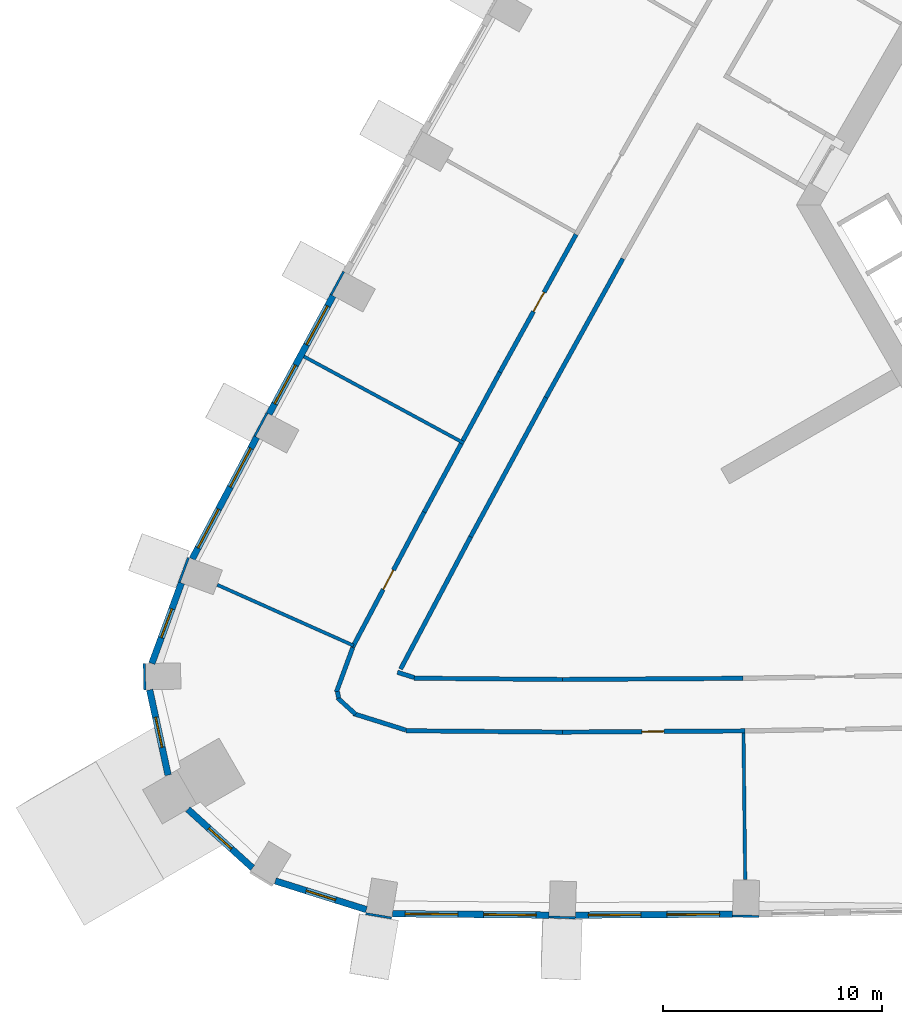
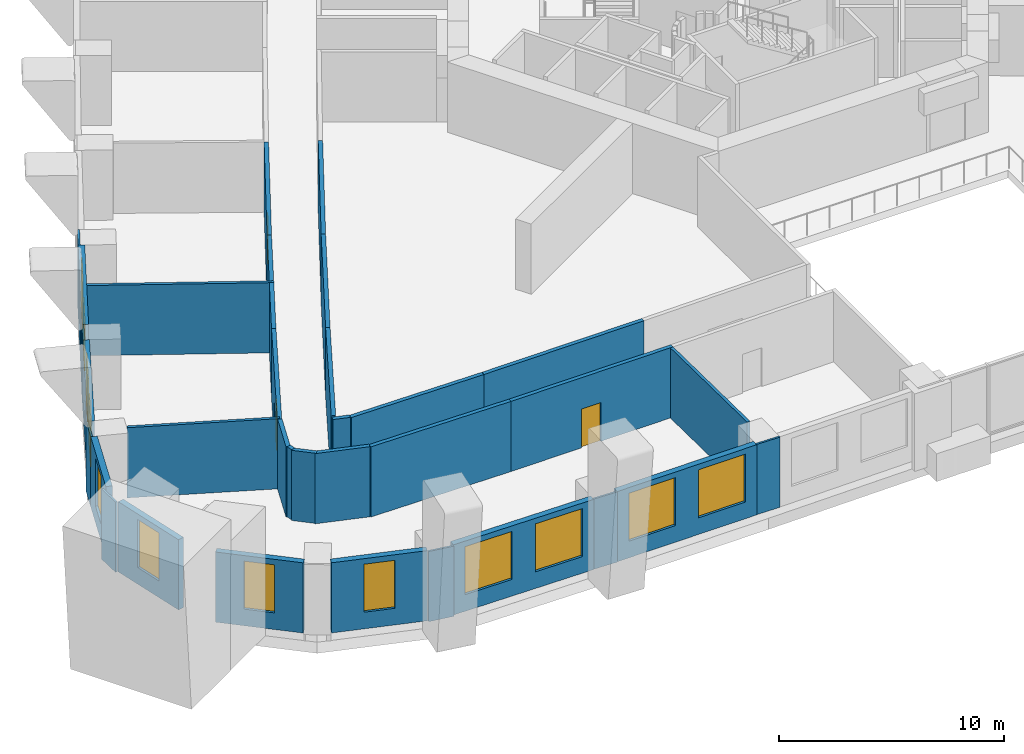
# One storey, part 4 of 17: 34 walls, 12 windows, 3 doors, 15 openings.
"""IFC4 building model written with IfcOpenShell, lengths in metres."""

import ifcopenshell
import ifcopenshell.guid

model = None  # the IFC model being written
_history = None  # IfcOwnerHistory: only IFC2X3 demands one
_inside = {}  # id of a spatial element -> (the spatial element, [elements in it])
_under = {}  # id of a project, library or spatial element -> (it, [spatial elements below it])
_declared = {}  # id of a project -> (the project, [libraries it declares])
_typed = {}  # id of a type object -> (the type object, [elements of that type])
_made_of = {}  # id of a material, layer set ... -> (it, [elements and type objects made of it])


def new_model(schema):
    """Start an empty IFC model of exactly this schema.

    Asked for "IFC4X3", IfcOpenShell would pick the latest addendum, in which some entities
    have other attributes; the version numbers below select the first issue.
    IFC2X3 requires an IfcOwnerHistory on every rooted entity: one is made here for all.
    """
    global model, _history
    if schema == "IFC4X3":
        model = ifcopenshell.file(schema_version=(4, 3, 0, 0))
    else:
        model = ifcopenshell.file(schema=schema)
    _inside.clear()
    _under.clear()
    _declared.clear()
    _typed.clear()
    _made_of.clear()
    _history = None
    if model.schema == "IFC2X3":
        org = make("IfcOrganization", Name="unknown")
        user = make(
            "IfcPersonAndOrganization",
            ThePerson=make("IfcPerson", FamilyName="unknown"),
            TheOrganization=org,
        )
        app = make(
            "IfcApplication",
            ApplicationDeveloper=org,
            Version="unknown",
            ApplicationFullName="unknown",
            ApplicationIdentifier="unknown",
        )
        _history = make(
            "IfcOwnerHistory",
            OwningUser=user,
            OwningApplication=app,
            ChangeAction="ADDED",
            CreationDate=0,
        )
    return model


def make(cls, **values):
    """One entity of the class cls with the attributes given. An attribute that is None is left unset."""
    return model.create_entity(
        cls, **{name: value for name, value in values.items() if value is not None}
    )


def rooted(cls, **values):
    """An entity with a GlobalId (a new one), such as an element, a storey or a relation."""
    return make(cls, GlobalId=ifcopenshell.guid.new(), OwnerHistory=_history, **values)


def si_unit(unit_type, name, prefix=None):
    """IfcSIUnit, for example si_unit("LENGTHUNIT", "METRE", prefix="MILLI")."""
    return make("IfcSIUnit", UnitType=unit_type, Prefix=prefix, Name=name)


def assignment(units):
    """IfcUnitAssignment: the units of a project."""
    return None if units is None else make("IfcUnitAssignment", Units=units)


def point(xyz):
    """IfcCartesianPoint."""
    return None if xyz is None else make("IfcCartesianPoint", Coordinates=xyz)


def direction(xyz):
    """IfcDirection."""
    return None if xyz is None else make("IfcDirection", DirectionRatios=xyz)


def frame(location, z_axis=None, x_axis=None):
    """IfcAxis2Placement3D, a coordinate frame: its origin and axes. An axis left out is left unset."""
    return make(
        "IfcAxis2Placement3D",
        Location=point(location),
        Axis=direction(z_axis),
        RefDirection=direction(x_axis),
    )


def frame_2d(location, x_axis=None):
    """IfcAxis2Placement2D, a coordinate frame in the plane: its origin and x axis."""
    return make(
        "IfcAxis2Placement2D", Location=point(location), RefDirection=direction(x_axis)
    )


def origin():
    """The frame at (0, 0, 0) with its axes left unset."""
    return frame((0.0, 0.0, 0.0))


def place(relative_to, where):
    """IfcLocalPlacement: puts the frame where relative to a parent placement (None: the world)."""
    return make(
        "IfcLocalPlacement", PlacementRelTo=relative_to, RelativePlacement=where
    )


def context(
    kind, dimensions, precision=None, world=None, true_north=None, identifier=None
):
    """IfcGeometricRepresentationContext, for example the 3D "Model" context."""
    return make(
        "IfcGeometricRepresentationContext",
        ContextIdentifier=identifier,
        ContextType=kind,
        CoordinateSpaceDimension=dimensions,
        Precision=precision,
        WorldCoordinateSystem=world,
        TrueNorth=true_north,
    )


def subcontext(parent, identifier, kind, view, scale=None):
    """IfcGeometricRepresentationSubContext, for example "Body" below "Model"."""
    return make(
        "IfcGeometricRepresentationSubContext",
        ContextIdentifier=identifier,
        ContextType=kind,
        ParentContext=parent,
        TargetScale=scale,
        TargetView=view,
    )


def project(units=None, contexts=None):
    """IfcProject with its units and contexts."""
    return rooted(
        "IfcProject",
        Name="project",
        RepresentationContexts=contexts,
        UnitsInContext=assignment(units),
    )


def spatial(cls, under=None, at=None, **own):
    """A site, building, storey or space (cls), placed at a placement, below another one or the project."""
    s = rooted(cls, ObjectPlacement=at, **own)
    if under is not None:
        _under.setdefault(under.id(), (under, []))[1].append(s)
    return s


def profile(cls, at=None, kind="AREA", **sizes):
    """A parametric profile (cls). Its sizes go by their IFC names, for example OverallWidth=200.0."""
    return make(cls, ProfileType=kind, Position=at, **sizes)


def rectangle(**sizes):
    """IfcRectangleProfileDef."""
    return profile("IfcRectangleProfileDef", **sizes)


def extrude(swept, where, along, depth):
    """IfcExtrudedAreaSolid: the profile swept, set in the frame where, extruded along a direction by depth."""
    return make(
        "IfcExtrudedAreaSolid",
        SweptArea=swept,
        Position=where,
        ExtrudedDirection=direction(along),
        Depth=depth,
    )


def shape(context_of_items, identifier, shape_type, items):
    """IfcShapeRepresentation: the items that make up one representation, for example the "Body"."""
    return make(
        "IfcShapeRepresentation",
        ContextOfItems=context_of_items,
        RepresentationIdentifier=identifier,
        RepresentationType=shape_type,
        Items=items,
    )


def material(Name=None, Category=None):
    """IfcMaterial."""
    return make("IfcMaterial", Name=Name, Category=Category)


def layer(
    of_material, thickness, ventilated=None, Name=None, Category=None, Priority=None
):
    """IfcMaterialLayer: one layer of a wall or slab, of a material (None: an air gap)."""
    return make(
        "IfcMaterialLayer",
        Material=of_material,
        LayerThickness=thickness,
        IsVentilated=ventilated,
        Name=Name,
        Category=Category,
        Priority=Priority,
    )


def layer_set(layers, Name=None):
    """IfcMaterialLayerSet."""
    return make("IfcMaterialLayerSet", MaterialLayers=layers, LayerSetName=Name)


def made_of(thing, what):
    """Note that an element or type object is made of a material, layer set ...; save() writes the relation."""
    if what is not None:
        _made_of.setdefault(what.id(), (what, []))[1].append(thing)
    return thing


def type_object(cls, material=None, **own):
    """A type object (cls), such as IfcWallType, which elements share."""
    return made_of(rooted(cls, **own), material)


def element(
    cls,
    number,
    at=None,
    inside=None,
    cuts=None,
    type_object=None,
    material=None,
    context=None,
    identifier="Body",
    shape_type=None,
    held_by="IfcProductDefinitionShape",
    body=None,
    shapes=None,
    **own,
):
    """One element of the class cls, such as IfcWall. Its Tag is "e" and its number.

    at: its placement. inside: the storey or other place that contains it. cuts: it is an
    opening in that element (IfcRelVoidsElement). A single representation is given by context,
    identifier, shape_type and body (its items); several are given by shapes. held_by: the class
    of the entity that holds the representations. save() writes the other relations.
    """
    e = rooted(cls, Tag="e%d" % number, ObjectPlacement=at, **own)
    if body is not None:
        shapes = [shape(context, identifier, shape_type, body)]
    if shapes is not None:
        e.Representation = make(held_by, Representations=shapes)
    if inside is not None:
        _inside.setdefault(inside.id(), (inside, []))[1].append(e)
    if cuts is not None:
        rooted(
            "IfcRelVoidsElement", RelatingBuildingElement=cuts, RelatedOpeningElement=e
        )
    if type_object is not None:
        _typed.setdefault(type_object.id(), (type_object, []))[1].append(e)
    return made_of(e, material)


def fill(opening, filler):
    """IfcRelFillsElement: the door or window that sits in an opening."""
    return rooted(
        "IfcRelFillsElement",
        RelatingOpeningElement=opening,
        RelatedBuildingElement=filler,
    )


def aggregate(whole, parts):
    """IfcRelAggregates: a whole, such as a stair, and the parts it consists of."""
    return rooted("IfcRelAggregates", RelatingObject=whole, RelatedObjects=parts)


def save(model, path):
    """Write the relations noted so far, then the file.

    IfcRelAggregates (storeys below a building ...), IfcRelContainedInSpatialStructure (elements
    in a storey), IfcRelDefinesByType, IfcRelAssociatesMaterial and IfcRelDeclares: one each for
    every whole, place, type object, material and project.
    """
    for whole, parts in _under.values():
        aggregate(whole, parts)
    for where, things in _inside.values():
        rooted(
            "IfcRelContainedInSpatialStructure",
            RelatedElements=things,
            RelatingStructure=where,
        )
    for kind, things in _typed.values():
        rooted("IfcRelDefinesByType", RelatedObjects=things, RelatingType=kind)
    for what, things in _made_of.values():
        rooted("IfcRelAssociatesMaterial", RelatedObjects=things, RelatingMaterial=what)
    for by, libraries in _declared.values():
        rooted("IfcRelDeclares", RelatingContext=by, RelatedDefinitions=libraries)
    model.write(path)


model = new_model("IFC4")

# Units and contexts
model_context = context("Model", 3, precision=1e-05, world=origin(), true_north=direction((0.0, 1.0)))
body_context = subcontext(model_context, "Body", "Model", "MODEL_VIEW")
ifc_project = project(units=[si_unit("LENGTHUNIT", "METRE"), si_unit("AREAUNIT", "SQUARE_METRE"), si_unit("VOLUMEUNIT", "CUBIC_METRE"), si_unit("PLANEANGLEUNIT", "RADIAN"), si_unit("MASSUNIT", "GRAM", prefix="KILO")], contexts=[model_context])

# Site, building, storey
site_placement = place(None, origin())
site = spatial("IfcSite", under=ifc_project, at=site_placement, CompositionType="ELEMENT")
building_placement = place(site_placement, origin())
building = spatial("IfcBuilding", under=site, at=building_placement, Name="Entoto Arch Interchange Tower", CompositionType="ELEMENT")
storey_placement = place(building_placement, frame((0.0, 0.0, 72.800048828125)))
storey = spatial("IfcBuildingStorey", under=building, at=storey_placement, Name="L15", CompositionType="ELEMENT", Elevation=72.800048828125)

# Walls
ifc_material_1 = material(Name="Gypsum board partition on steel studs", Category="steel")
ifc_layer_1 = layer(ifc_material_1, 0.14990234375)
ifc_layer_set_1 = layer_set([ifc_layer_1], Name="Gypsum board partition on steel studs")
wall_type_1 = type_object("IfcWallType", Name="PARTITION 150", PredefinedType="PARTITIONING", material=ifc_layer_set_1)
wall_1_placement = place(storey_placement, frame((-29.013916015625, -8.364990234375, 0.0), z_axis=(0.0, 0.0, 1.0), x_axis=(-0.879354069803, 0.476168478504, 0.0)))
element("IfcWall", 1, at=wall_1_placement, inside=storey, type_object=wall_type_1, Name="wall:L15:p147", PredefinedType="PARTITIONING", context=body_context, shape_type="SweptSolid", body=[
    extrude(rectangle(XDim=8.29931640625, YDim=0.14990234375, at=frame_2d((4.149658203125, 0.0))), origin(), (0.0, 0.0, 1.0), 3.800048828125),
])
wall_2_placement = place(storey_placement, frame((-34.052978515625, -17.594970703125, 0.0), z_axis=(0.0, 0.0, 1.0), x_axis=(-0.913298274621, 0.40729137184, 0.0)))
element("IfcWall", 2, at=wall_2_placement, inside=storey, type_object=wall_type_1, Name="wall:L15:p148", PredefinedType="PARTITIONING", context=body_context, shape_type="SweptSolid", body=[
    extrude(rectangle(XDim=6.79638671875, YDim=0.14990234375, at=frame_2d((3.398193359375, 0.0))), origin(), (0.0, 0.0, 1.0), 3.800048828125),
])
wall_3_placement = place(storey_placement, frame((-16.26806640625, -21.5869140625, 0.0), z_axis=(0.0, 0.0, 1.0), x_axis=(0.0116959614, -0.999931599904, 0.0)))
element("IfcWall", 3, at=wall_3_placement, inside=storey, type_object=wall_type_1, Name="wall:L15:p149", PredefinedType="PARTITIONING", context=body_context, shape_type="SweptSolid", body=[
    extrude(rectangle(XDim=6.6796875, YDim=0.14990234375, at=frame_2d((3.33984375, 0.0))), origin(), (0.0, 0.0, 1.0), 3.800048828125),
])
ifc_layer_2 = layer(ifc_material_1, 0.199951171875)
ifc_layer_set_2 = layer_set([ifc_layer_2], Name="Gypsum board partition on steel studs")
wall_type_2 = type_object("IfcWallType", Name="PARTITION 200", PredefinedType="PARTITIONING", material=ifc_layer_set_2)
wall_4_placement = place(storey_placement, frame((-21.77001953125, 0.0458984375, 0.0), z_axis=(0.0, 0.0, 1.0), x_axis=(-0.484062485326, -0.875033433818, 0.0)))
element("IfcWall", 4, at=wall_4_placement, inside=storey, type_object=wall_type_2, Name="wall:L15:p031", PredefinedType="PARTITIONING", context=body_context, shape_type="SweptSolid", body=[
    extrude(rectangle(XDim=7.23046875, YDim=0.199951171875, at=frame_2d((3.615234375, 0.0))), origin(), (0.0, 0.0, 1.0), 3.800048828125),
])
wall_5_placement = place(storey_placement, frame((-25.27001953125, -6.281005859375, 0.0), z_axis=(0.0, 0.0, 1.0), x_axis=(-0.476128647722, -0.879375636926, 0.0)))
element("IfcWall", 5, at=wall_5_placement, inside=storey, type_object=wall_type_2, Name="wall:L15:p032", PredefinedType="PARTITIONING", context=body_context, shape_type="SweptSolid", body=[
    extrude(rectangle(XDim=7.22900390625, YDim=0.199951171875, at=frame_2d((3.614501953125, 0.0))), origin(), (0.0, 0.0, 1.0), 3.800048828125),
])
wall_6_placement = place(storey_placement, frame((-28.7119140625, -12.637939453125, 0.0), z_axis=(0.0, 0.0, 1.0), x_axis=(-0.46804565502, -0.883704285843, 0.0)))
element("IfcWall", 6, at=wall_6_placement, inside=storey, type_object=wall_type_2, Name="wall:L15:p033", PredefinedType="PARTITIONING", context=body_context, shape_type="SweptSolid", body=[
    extrude(rectangle(XDim=6.818115234375, YDim=0.199951171875, at=frame_2d((3.4091796875, 0.0))), origin(), (0.0, 0.0, 1.0), 3.800048828125),
])
wall_7_placement = place(storey_placement, frame((-32.050048828125, -18.81298828125, 0.0), z_axis=(0.0, 0.0, 1.0), x_axis=(0.953816959026, -0.300388429661, 0.0)))
element("IfcWall", 7, at=wall_7_placement, inside=storey, type_object=wall_type_2, Name="wall:L15:p034", PredefinedType="PARTITIONING", context=body_context, shape_type="SweptSolid", body=[
    extrude(rectangle(XDim=0.80224609375, YDim=0.199951171875, at=frame_2d((0.401123046875, 0.0))), origin(), (0.0, 0.0, 1.0), 3.800048828125),
])
wall_8_placement = place(storey_placement, frame((-31.2890625, -19.0830078125, 0.0), z_axis=(0.0, 0.0, 1.0), x_axis=(0.999961820006, -0.00873833678, 0.0)))
element("IfcWall", 8, at=wall_8_placement, inside=storey, type_object=wall_type_2, Name="wall:L15:p035", PredefinedType="PARTITIONING", context=body_context, shape_type="SweptSolid", body=[
    extrude(rectangle(XDim=6.76123046875, YDim=0.199951171875, at=frame_2d((3.380615234375, 0.0))), origin(), (0.0, 0.0, 1.0), 3.800048828125),
])
wall_9_placement = place(storey_placement, frame((-24.528076171875, -19.14208984375, 0.0), z_axis=(0.0, 0.0, 1.0), x_axis=(0.999978315754, 0.00658544011, 0.0)))
element("IfcWall", 9, at=wall_9_placement, inside=storey, type_object=wall_type_2, Name="wall:L15:p036", PredefinedType="PARTITIONING", context=body_context, shape_type="SweptSolid", body=[
    extrude(rectangle(XDim=8.230224609375, YDim=0.199951171875, at=frame_2d((4.115234375, 0.0))), origin(), (0.0, 0.0, 1.0), 3.800048828125),
])
wall_10_placement = place(storey_placement, frame((-29.06591796875, -8.2509765625, 0.0), z_axis=(0.0, 0.0, 1.0), x_axis=(0.476123690619, 0.879378320878, 0.0)))
element("IfcWall", 10, at=wall_10_placement, inside=storey, type_object=wall_type_2, Name="wall:L15:p068", PredefinedType="PARTITIONING", context=body_context, shape_type="SweptSolid", body=[
    extrude(rectangle(XDim=3.551513671875, YDim=0.199951171875, at=frame_2d((1.77587890625, 0.0))), origin(), (0.0, 0.0, 1.0), 3.800048828125),
])

# Wall, opening, door
wall_11_placement = place(storey_placement, frame((-27.375, -5.1279296875, 0.0), z_axis=(0.0, 0.0, 1.0), x_axis=(0.484068035355, 0.875030363558, 0.0)))
wall_11 = element("IfcWall", 11, at=wall_11_placement, inside=storey, type_object=wall_type_2, Name="wall:L15:p069", PredefinedType="PARTITIONING", context=body_context, shape_type="SweptSolid", body=[
    extrude(rectangle(XDim=7.177001953125, YDim=0.199951171875, at=frame_2d((3.58837890625, 0.0))), origin(), (0.0, 0.0, 1.0), 3.800048828125),
])
opening_1_placement = place(wall_11_placement, frame((3.1630859375, 0.0, 0.0)))
opening_1 = element("IfcOpeningElement", 12, at=opening_1_placement, cuts=wall_11, Name="Opening L15-D16", PredefinedType="OPENING", context=body_context, shape_type="SweptSolid", body=[
    extrude(rectangle(XDim=1.0, YDim=2.10009765625, at=frame_2d((0.5, 1.050048828125))), frame((0.0, 0.10986328125, 0.0), z_axis=(0.0, -1.0, 0.0), x_axis=(1.0, 0.0, 0.0)), (0.0, 0.0, 1.0), 0.219970703125),
])
ifc_material_2 = material(Name="Timber door leaf in Steel S235 frame", Category="steel")
door_type = type_object("IfcDoorType", Name="DOOR DS-10 1000x2100", OperationType="SINGLE_SWING_LEFT", PredefinedType="DOOR", material=ifc_material_2)
door_1_placement = place(opening_1_placement, origin())
door_1 = element("IfcDoor", 13, at=door_1_placement, inside=storey, type_object=door_type, Name="door:L15:16", OperationType="SINGLE_SWING_LEFT", OverallHeight=2.10009765625, OverallWidth=1.0, PredefinedType="DOOR", context=body_context, shape_type="SweptSolid", body=[
    extrude(rectangle(XDim=1.0, YDim=2.10009765625, at=frame_2d((0.5, 1.050048828125))), frame((0.0, 0.02490234375, 0.0), z_axis=(0.0, -1.0, 0.0), x_axis=(1.0, 0.0, 0.0)), (0.0, 0.0, 1.0), 0.050048828125),
])
fill(opening_1, door_1)

wall_12_placement = place(storey_placement, frame((-34.10009765625, -17.68310546875, 0.0), z_axis=(0.0, 0.0, 1.0), x_axis=(0.468043346631, 0.883705508456, 0.0)))
wall_12 = element("IfcWall", 14, at=wall_12_placement, inside=storey, type_object=wall_type_2, Name="wall:L15:p070", PredefinedType="PARTITIONING", context=body_context, shape_type="SweptSolid", body=[
    extrude(rectangle(XDim=6.9912109375, YDim=0.199951171875, at=frame_2d((3.49560546875, 0.0))), origin(), (0.0, 0.0, 1.0), 3.800048828125),
])
opening_2_placement = place(wall_12_placement, frame((2.99609375, 0.0, 0.0)))
opening_2 = element("IfcOpeningElement", 15, at=opening_2_placement, cuts=wall_12, Name="Opening L15-D17", PredefinedType="OPENING", context=body_context, shape_type="SweptSolid", body=[
    extrude(rectangle(XDim=1.0, YDim=2.10009765625, at=frame_2d((0.5, 1.050048828125))), frame((0.0, 0.10986328125, 0.0), z_axis=(0.0, -1.0, 0.0), x_axis=(1.0, 0.0, 0.0)), (0.0, 0.0, 1.0), 0.219970703125),
])
door_2_placement = place(opening_2_placement, origin())
door_2 = element("IfcDoor", 16, at=door_2_placement, inside=storey, type_object=door_type, Name="door:L15:17", OperationType="SINGLE_SWING_LEFT", OverallHeight=2.10009765625, OverallWidth=1.0, PredefinedType="DOOR", context=body_context, shape_type="SweptSolid", body=[
    extrude(rectangle(XDim=1.0, YDim=2.10009765625, at=frame_2d((0.5, 1.050048828125))), frame((0.0, 0.02490234375, 0.0), z_axis=(0.0, -1.0, 0.0), x_axis=(1.0, 0.0, 0.0)), (0.0, 0.0, 1.0), 0.050048828125),
])
fill(opening_2, door_2)

# Wall
wall_13_placement = place(storey_placement, frame((-30.827880859375, -11.5048828125, 0.0), z_axis=(0.0, 0.0, 1.0), x_axis=(0.476267641688, 0.879300365905, 0.0)))
element("IfcWall", 17, at=wall_13_placement, inside=storey, type_object=wall_type_2, Name="wall:L15:p071", PredefinedType="PARTITIONING", context=body_context, shape_type="SweptSolid", body=[
    extrude(rectangle(XDim=3.55029296875, YDim=0.199951171875, at=frame_2d((1.775146484375, 0.0))), origin(), (0.0, 0.0, 1.0), 3.800048828125),
])

# Wall, opening, door
wall_14_placement = place(storey_placement, frame((-16.195068359375, -21.487060546875, 0.0), z_axis=(0.0, 0.0, 1.0), x_axis=(-0.999978288386, -0.006589594508, 0.0)))
wall_14 = element("IfcWall", 18, at=wall_14_placement, inside=storey, type_object=wall_type_2, Name="wall:L15:p072", PredefinedType="PARTITIONING", context=body_context, shape_type="SweptSolid", body=[
    extrude(rectangle(XDim=8.336181640625, YDim=0.199951171875, at=frame_2d((4.16796875, 0.0))), origin(), (0.0, 0.0, 1.0), 3.800048828125),
])
opening_3_placement = place(wall_14_placement, frame((3.7060546875, 0.0, 0.0)))
opening_3 = element("IfcOpeningElement", 19, at=opening_3_placement, cuts=wall_14, Name="Opening L15-D18", PredefinedType="OPENING", context=body_context, shape_type="SweptSolid", body=[
    extrude(rectangle(XDim=1.0, YDim=2.10009765625, at=frame_2d((0.5, 1.050048828125))), frame((0.0, 0.10986328125, 0.0), z_axis=(0.0, -1.0, 0.0), x_axis=(1.0, 0.0, 0.0)), (0.0, 0.0, 1.0), 0.219970703125),
])
door_3_placement = place(opening_3_placement, origin())
door_3 = element("IfcDoor", 20, at=door_3_placement, inside=storey, type_object=door_type, Name="door:L15:18", OperationType="SINGLE_SWING_RIGHT", OverallHeight=2.10009765625, OverallWidth=1.0, PredefinedType="DOOR", context=body_context, shape_type="SweptSolid", body=[
    extrude(rectangle(XDim=1.0, YDim=2.10009765625, at=frame_2d((0.5, 1.050048828125))), frame((0.0, 0.02490234375, 0.0), z_axis=(0.0, -1.0, 0.0), x_axis=(1.0, 0.0, 0.0)), (0.0, 0.0, 1.0), 0.050048828125),
])
fill(opening_3, door_3)

# Walls
wall_15_placement = place(storey_placement, frame((-24.531005859375, -21.5419921875, 0.0), z_axis=(0.0, 0.0, 1.0), x_axis=(-0.999962254422, 0.008688482627, 0.0)))
element("IfcWall", 21, at=wall_15_placement, inside=storey, type_object=wall_type_2, Name="wall:L15:p073", PredefinedType="PARTITIONING", context=body_context, shape_type="SweptSolid", body=[
    extrude(rectangle(XDim=7.13720703125, YDim=0.199951171875, at=frame_2d((3.568603515625, 0.0))), origin(), (0.0, 0.0, 1.0), 3.800048828125),
])
wall_16_placement = place(storey_placement, frame((-31.6640625, -21.449951171875, 0.0), z_axis=(0.0, 0.0, 1.0), x_axis=(-0.953945024313, 0.299981483743, 0.0)))
element("IfcWall", 22, at=wall_16_placement, inside=storey, type_object=wall_type_2, Name="wall:L15:p074", PredefinedType="PARTITIONING", context=body_context, shape_type="SweptSolid", body=[
    extrude(rectangle(XDim=2.500244140625, YDim=0.199951171875, at=frame_2d((1.25, 0.0))), origin(), (0.0, 0.0, 1.0), 3.800048828125),
])
wall_17_placement = place(storey_placement, frame((-33.9541015625, -20.72900390625, 0.0), z_axis=(0.0, 0.0, 1.0), x_axis=(-0.740510227228, 0.672045090281, 0.0)))
element("IfcWall", 23, at=wall_17_placement, inside=storey, type_object=wall_type_2, Name="wall:L15:p075", PredefinedType="PARTITIONING", context=body_context, shape_type="SweptSolid", body=[
    extrude(rectangle(XDim=1.123291015625, YDim=0.199951171875, at=frame_2d((0.5615234375, 0.0))), origin(), (0.0, 0.0, 1.0), 3.800048828125),
])
wall_18_placement = place(storey_placement, frame((-34.72412109375, -19.987060546875, 0.0), z_axis=(0.0, 0.0, 1.0), x_axis=(-0.210230703369, 0.977651804765, 0.0)))
element("IfcWall", 24, at=wall_18_placement, inside=storey, type_object=wall_type_2, Name="wall:L15:p076", PredefinedType="PARTITIONING", context=body_context, shape_type="SweptSolid", body=[
    extrude(rectangle(XDim=0.308837890625, YDim=0.199951171875, at=frame_2d((0.154296875, 0.0))), origin(), (0.0, 0.0, 1.0), 3.800048828125),
])
wall_19_placement = place(storey_placement, frame((-34.8349609375, -19.72412109375, 0.0), z_axis=(0.0, 0.0, 1.0), x_axis=(0.34459875492, 0.938750072228, 0.0)))
element("IfcWall", 25, at=wall_19_placement, inside=storey, type_object=wall_type_2, Name="wall:L15:p077", PredefinedType="PARTITIONING", context=body_context, shape_type="SweptSolid", body=[
    extrude(rectangle(XDim=2.16796875, YDim=0.199951171875, at=frame_2d((1.083984375, 0.0))), origin(), (0.0, 0.0, 1.0), 3.800048828125),
])

# Wall, openings, windows
ifc_material_3 = material(Name="Welded tuff (ignimbrite) cladding, warm buff", Category="masonry")
ifc_layer_3 = layer(ifc_material_3, 0.300048828125)
ifc_layer_set_3 = layer_set([ifc_layer_3], Name="Welded tuff (ignimbrite) cladding, warm buff")
wall_type_3 = type_object("IfcWallType", Name="STONE INFILL WALL 300", PredefinedType="STANDARD", material=ifc_layer_set_3)
wall_20_placement = place(storey_placement, frame((-32.279052734375, -29.824951171875, 0.0), z_axis=(0.0, 0.0, 1.0), x_axis=(0.999962339493, -0.008678686333, 0.0)))
wall_20 = element("IfcWall", 26, at=wall_20_placement, inside=storey, type_object=wall_type_3, Name="Facade wall S-01 L15", PredefinedType="STANDARD", context=body_context, shape_type="SweptSolid", body=[
    extrude(rectangle(XDim=7.145263671875, YDim=0.300048828125, at=frame_2d((3.57275390625, 0.0))), origin(), (0.0, 0.0, 1.0), 3.800048828125),
])
opening_4_placement = place(wall_20_placement, frame((0.5859375, 0.0, 0.89990234375)))
opening_4 = element("IfcOpeningElement", 27, at=opening_4_placement, cuts=wall_20, Name="Opening WO-A", PredefinedType="OPENING", context=body_context, shape_type="SweptSolid", body=[
    extrude(rectangle(XDim=2.39990234375, YDim=2.60009765625, at=frame_2d((1.199951171875, 1.300048828125))), frame((0.0, 0.16015625, 0.0), z_axis=(0.0, -1.0, 0.0), x_axis=(1.0, 0.0, 0.0)), (0.0, 0.0, 1.0), 0.320068359375),
])
opening_5_placement = place(wall_20_placement, frame((4.158935546875, 0.0, 0.89990234375)))
opening_5 = element("IfcOpeningElement", 28, at=opening_5_placement, cuts=wall_20, Name="Opening WO-A", PredefinedType="OPENING", context=body_context, shape_type="SweptSolid", body=[
    extrude(rectangle(XDim=2.39990234375, YDim=2.60009765625, at=frame_2d((1.199951171875, 1.300048828125))), frame((0.0, 0.16015625, 0.0), z_axis=(0.0, -1.0, 0.0), x_axis=(1.0, 0.0, 0.0)), (0.0, 0.0, 1.0), 0.320068359375),
])
ifc_material_4 = material(Name="Clear glass, low-e double glazed", Category="glass")
window_type_1 = type_object("IfcWindowType", Name="WINDOW WO-A 2400x2600", PartitioningType="DOUBLE_PANEL_VERTICAL", PredefinedType="WINDOW", material=ifc_material_4)
window_1_placement = place(opening_4_placement, origin())
window_1 = element("IfcWindow", 29, at=window_1_placement, inside=storey, type_object=window_type_1, Name="Window WO-A S-01 L15", OverallHeight=2.60009765625, OverallWidth=2.39990234375, PartitioningType="SINGLE_PANEL", PredefinedType="WINDOW", context=body_context, shape_type="SweptSolid", body=[
    extrude(rectangle(XDim=2.39990234375, YDim=2.60009765625, at=frame_2d((1.199951171875, 1.300048828125))), frame((0.0, 0.030029296875, 0.0), z_axis=(0.0, -1.0, 0.0), x_axis=(1.0, 0.0, 0.0)), (0.0, 0.0, 1.0), 0.06005859375),
])
fill(opening_4, window_1)
window_2_placement = place(opening_5_placement, origin())
window_2 = element("IfcWindow", 30, at=window_2_placement, inside=storey, type_object=window_type_1, Name="Window WO-A S-01 L15", OverallHeight=2.60009765625, OverallWidth=2.39990234375, PartitioningType="SINGLE_PANEL", PredefinedType="WINDOW", context=body_context, shape_type="SweptSolid", body=[
    extrude(rectangle(XDim=2.39990234375, YDim=2.60009765625, at=frame_2d((1.199951171875, 1.300048828125))), frame((0.0, 0.030029296875, 0.0), z_axis=(0.0, -1.0, 0.0), x_axis=(1.0, 0.0, 0.0)), (0.0, 0.0, 1.0), 0.06005859375),
])
fill(opening_5, window_2)

wall_21_placement = place(storey_placement, frame((-23.93505859375, -29.887939453125, 0.0), z_axis=(0.0, 0.0, 1.0), x_axis=(0.999978623918, 0.006538478947, 0.0)))
wall_21 = element("IfcWall", 31, at=wall_21_placement, inside=storey, type_object=wall_type_3, Name="Facade wall S-02 L15", PredefinedType="STANDARD", context=body_context, shape_type="SweptSolid", body=[
    extrude(rectangle(XDim=7.169189453125, YDim=0.300048828125, at=frame_2d((3.58447265625, 0.0))), origin(), (0.0, 0.0, 1.0), 3.800048828125),
])
opening_6_placement = place(wall_21_placement, frame((0.592041015625, 0.0, 0.89990234375)))
opening_6 = element("IfcOpeningElement", 32, at=opening_6_placement, cuts=wall_21, Name="Opening WO-A", PredefinedType="OPENING", context=body_context, shape_type="SweptSolid", body=[
    extrude(rectangle(XDim=2.39990234375, YDim=2.60009765625, at=frame_2d((1.199951171875, 1.300048828125))), frame((0.0, 0.16015625, 0.0), z_axis=(0.0, -1.0, 0.0), x_axis=(1.0, 0.0, 0.0)), (0.0, 0.0, 1.0), 0.320068359375),
])
opening_7_placement = place(wall_21_placement, frame((4.177001953125, 0.0, 0.89990234375)))
opening_7 = element("IfcOpeningElement", 33, at=opening_7_placement, cuts=wall_21, Name="Opening WO-A", PredefinedType="OPENING", context=body_context, shape_type="SweptSolid", body=[
    extrude(rectangle(XDim=2.39990234375, YDim=2.60009765625, at=frame_2d((1.199951171875, 1.300048828125))), frame((0.0, 0.16015625, 0.0), z_axis=(0.0, -1.0, 0.0), x_axis=(1.0, 0.0, 0.0)), (0.0, 0.0, 1.0), 0.320068359375),
])
window_3_placement = place(opening_6_placement, origin())
window_3 = element("IfcWindow", 34, at=window_3_placement, inside=storey, type_object=window_type_1, Name="Window WO-A S-02 L15", OverallHeight=2.60009765625, OverallWidth=2.39990234375, PartitioningType="SINGLE_PANEL", PredefinedType="WINDOW", context=body_context, shape_type="SweptSolid", body=[
    extrude(rectangle(XDim=2.39990234375, YDim=2.60009765625, at=frame_2d((1.199951171875, 1.300048828125))), frame((0.0, 0.030029296875, 0.0), z_axis=(0.0, -1.0, 0.0), x_axis=(1.0, 0.0, 0.0)), (0.0, 0.0, 1.0), 0.06005859375),
])
fill(opening_6, window_3)
window_4_placement = place(opening_7_placement, origin())
window_4 = element("IfcWindow", 35, at=window_4_placement, inside=storey, type_object=window_type_1, Name="Window WO-A S-02 L15", OverallHeight=2.60009765625, OverallWidth=2.39990234375, PartitioningType="SINGLE_PANEL", PredefinedType="WINDOW", context=body_context, shape_type="SweptSolid", body=[
    extrude(rectangle(XDim=2.39990234375, YDim=2.60009765625, at=frame_2d((1.199951171875, 1.300048828125))), frame((0.0, 0.030029296875, 0.0), z_axis=(0.0, -1.0, 0.0), x_axis=(1.0, 0.0, 0.0)), (0.0, 0.0, 1.0), 0.06005859375),
])
fill(opening_7, window_4)

wall_22_placement = place(storey_placement, frame((-34.98388671875, -1.64501953125, 0.0), z_axis=(0.0, 0.0, 1.0), x_axis=(-0.476174096946, -0.879351027404, 0.0)))
wall_22 = element("IfcWall", 36, at=wall_22_placement, inside=storey, type_object=wall_type_3, Name="Facade wall NW-08 L15", PredefinedType="STANDARD", context=body_context, shape_type="SweptSolid", body=[
    extrude(rectangle(XDim=6.130615234375, YDim=0.300048828125, at=frame_2d((3.0654296875, 0.0))), origin(), (0.0, 0.0, 1.0), 3.800048828125),
])
opening_8_placement = place(wall_22_placement, frame((0.532958984375, 0.0, 0.89990234375)))
opening_8 = element("IfcOpeningElement", 37, at=opening_8_placement, cuts=wall_22, Name="Opening WO-C", PredefinedType="OPENING", context=body_context, shape_type="SweptSolid", body=[
    extrude(rectangle(XDim=2.0, YDim=2.60009765625, at=frame_2d((1.0, 1.300048828125))), frame((0.0, 0.16015625, 0.0), z_axis=(0.0, -1.0, 0.0), x_axis=(1.0, 0.0, 0.0)), (0.0, 0.0, 1.0), 0.320068359375),
])
opening_9_placement = place(wall_22_placement, frame((3.597900390625, 0.0, 0.89990234375)))
opening_9 = element("IfcOpeningElement", 38, at=opening_9_placement, cuts=wall_22, Name="Opening WO-C", PredefinedType="OPENING", context=body_context, shape_type="SweptSolid", body=[
    extrude(rectangle(XDim=2.0, YDim=2.60009765625, at=frame_2d((1.0, 1.300048828125))), frame((0.0, 0.16015625, 0.0), z_axis=(0.0, -1.0, 0.0), x_axis=(1.0, 0.0, 0.0)), (0.0, 0.0, 1.0), 0.320068359375),
])
window_type_2 = type_object("IfcWindowType", Name="WINDOW WO-C 2000x2600", PartitioningType="DOUBLE_PANEL_VERTICAL", PredefinedType="WINDOW", material=ifc_material_4)
window_5_placement = place(opening_8_placement, origin())
window_5 = element("IfcWindow", 39, at=window_5_placement, inside=storey, type_object=window_type_2, Name="Window WO-C NW-08 L15", OverallHeight=2.60009765625, OverallWidth=2.0, PartitioningType="SINGLE_PANEL", PredefinedType="WINDOW", context=body_context, shape_type="SweptSolid", body=[
    extrude(rectangle(XDim=2.0, YDim=2.60009765625, at=frame_2d((1.0, 1.300048828125))), frame((0.0, 0.030029296875, 0.0), z_axis=(0.0, -1.0, 0.0), x_axis=(1.0, 0.0, 0.0)), (0.0, 0.0, 1.0), 0.06005859375),
])
fill(opening_8, window_5)
window_6_placement = place(opening_9_placement, origin())
window_6 = element("IfcWindow", 40, at=window_6_placement, inside=storey, type_object=window_type_2, Name="Window WO-C NW-08 L15", OverallHeight=2.60009765625, OverallWidth=2.0, PartitioningType="SINGLE_PANEL", PredefinedType="WINDOW", context=body_context, shape_type="SweptSolid", body=[
    extrude(rectangle(XDim=2.0, YDim=2.60009765625, at=frame_2d((1.0, 1.300048828125))), frame((0.0, 0.030029296875, 0.0), z_axis=(0.0, -1.0, 0.0), x_axis=(1.0, 0.0, 0.0)), (0.0, 0.0, 1.0), 0.06005859375),
])
fill(opening_9, window_6)

wall_23_placement = place(storey_placement, frame((-38.468994140625, -8.092041015625, 0.0), z_axis=(0.0, 0.0, 1.0), x_axis=(-0.467968066899, -0.883745375299, 0.0)))
wall_23 = element("IfcWall", 41, at=wall_23_placement, inside=storey, type_object=wall_type_3, Name="Facade wall NW-09 L15", PredefinedType="STANDARD", context=body_context, shape_type="SweptSolid", body=[
    extrude(rectangle(XDim=6.282470703125, YDim=0.300048828125, at=frame_2d((3.14111328125, 0.0))), origin(), (0.0, 0.0, 1.0), 3.800048828125),
])
opening_10_placement = place(wall_23_placement, frame((0.571044921875, 0.0, 0.89990234375)))
opening_10 = element("IfcOpeningElement", 42, at=opening_10_placement, cuts=wall_23, Name="Opening WO-C", PredefinedType="OPENING", context=body_context, shape_type="SweptSolid", body=[
    extrude(rectangle(XDim=2.0, YDim=2.60009765625, at=frame_2d((1.0, 1.300048828125))), frame((0.0, 0.16015625, 0.0), z_axis=(0.0, -1.0, 0.0), x_axis=(1.0, 0.0, 0.0)), (0.0, 0.0, 1.0), 0.320068359375),
])
opening_11_placement = place(wall_23_placement, frame((3.7119140625, 0.0, 0.89990234375)))
opening_11 = element("IfcOpeningElement", 43, at=opening_11_placement, cuts=wall_23, Name="Opening WO-C", PredefinedType="OPENING", context=body_context, shape_type="SweptSolid", body=[
    extrude(rectangle(XDim=2.0, YDim=2.60009765625, at=frame_2d((1.0, 1.300048828125))), frame((0.0, 0.16015625, 0.0), z_axis=(0.0, -1.0, 0.0), x_axis=(1.0, 0.0, 0.0)), (0.0, 0.0, 1.0), 0.320068359375),
])
window_7_placement = place(opening_10_placement, origin())
window_7 = element("IfcWindow", 44, at=window_7_placement, inside=storey, type_object=window_type_2, Name="Window WO-C NW-09 L15", OverallHeight=2.60009765625, OverallWidth=2.0, PartitioningType="SINGLE_PANEL", PredefinedType="WINDOW", context=body_context, shape_type="SweptSolid", body=[
    extrude(rectangle(XDim=2.0, YDim=2.60009765625, at=frame_2d((1.0, 1.300048828125))), frame((0.0, 0.030029296875, 0.0), z_axis=(0.0, -1.0, 0.0), x_axis=(1.0, 0.0, 0.0)), (0.0, 0.0, 1.0), 0.06005859375),
])
fill(opening_10, window_7)
window_8_placement = place(opening_11_placement, origin())
window_8 = element("IfcWindow", 45, at=window_8_placement, inside=storey, type_object=window_type_2, Name="Window WO-C NW-09 L15", OverallHeight=2.60009765625, OverallWidth=2.0, PartitioningType="SINGLE_PANEL", PredefinedType="WINDOW", context=body_context, shape_type="SweptSolid", body=[
    extrude(rectangle(XDim=2.0, YDim=2.60009765625, at=frame_2d((1.0, 1.300048828125))), frame((0.0, 0.030029296875, 0.0), z_axis=(0.0, -1.0, 0.0), x_axis=(1.0, 0.0, 0.0)), (0.0, 0.0, 1.0), 0.06005859375),
])
fill(opening_11, window_8)

# Wall, opening, window
wall_24_placement = place(storey_placement, frame((-41.89990234375, -14.739990234375, 0.0), z_axis=(0.0, 0.0, 1.0), x_axis=(-0.344819708397, -0.938668934556, 0.0)))
wall_24 = element("IfcWall", 46, at=wall_24_placement, inside=storey, type_object=wall_type_3, Name="Facade wall SW-01 L15", PredefinedType="STANDARD", context=body_context, shape_type="SweptSolid", body=[
    extrude(rectangle(XDim=3.90966796875, YDim=0.300048828125, at=frame_2d((1.954833984375, 0.0))), origin(), (0.0, 0.0, 1.0), 3.800048828125),
])
opening_12_placement = place(wall_24_placement, frame((1.2548828125, 0.0, 0.89990234375)))
opening_12 = element("IfcOpeningElement", 47, at=opening_12_placement, cuts=wall_24, Name="Opening WO-B", PredefinedType="OPENING", context=body_context, shape_type="SweptSolid", body=[
    extrude(rectangle(XDim=1.39990234375, YDim=2.60009765625, at=frame_2d((0.699951171875, 1.300048828125))), frame((0.0, 0.16015625, 0.0), z_axis=(0.0, -1.0, 0.0), x_axis=(1.0, 0.0, 0.0)), (0.0, 0.0, 1.0), 0.320068359375),
])
window_type_3 = type_object("IfcWindowType", Name="WINDOW WO-B 1400x2600", PartitioningType="DOUBLE_PANEL_VERTICAL", PredefinedType="WINDOW", material=ifc_material_4)
window_9_placement = place(opening_12_placement, origin())
window_9 = element("IfcWindow", 48, at=window_9_placement, inside=storey, type_object=window_type_3, Name="Window WO-B SW-01 L15", OverallHeight=2.60009765625, OverallWidth=1.39990234375, PartitioningType="SINGLE_PANEL", PredefinedType="WINDOW", context=body_context, shape_type="SweptSolid", body=[
    extrude(rectangle(XDim=1.39990234375, YDim=2.60009765625, at=frame_2d((0.699951171875, 1.300048828125))), frame((0.0, 0.030029296875, 0.0), z_axis=(0.0, -1.0, 0.0), x_axis=(1.0, 0.0, 0.0)), (0.0, 0.0, 1.0), 0.06005859375),
])
fill(opening_12, window_9)

wall_25_placement = place(storey_placement, frame((-43.34912109375, -19.611083984375, 0.0), z_axis=(0.0, 0.0, 1.0), x_axis=(0.211701618364, -0.977334346466, 0.0)))
wall_25 = element("IfcWall", 49, at=wall_25_placement, inside=storey, type_object=wall_type_3, Name="Facade wall SW-02 L15", PredefinedType="STANDARD", context=body_context, shape_type="SweptSolid", body=[
    extrude(rectangle(XDim=3.982177734375, YDim=0.300048828125, at=frame_2d((1.9912109375, 0.0))), origin(), (0.0, 0.0, 1.0), 3.800048828125),
])
opening_13_placement = place(wall_25_placement, frame((1.291015625, 0.0, 0.89990234375)))
opening_13 = element("IfcOpeningElement", 50, at=opening_13_placement, cuts=wall_25, Name="Opening WO-B", PredefinedType="OPENING", context=body_context, shape_type="SweptSolid", body=[
    extrude(rectangle(XDim=1.39990234375, YDim=2.60009765625, at=frame_2d((0.699951171875, 1.300048828125))), frame((0.0, 0.16015625, 0.0), z_axis=(0.0, -1.0, 0.0), x_axis=(1.0, 0.0, 0.0)), (0.0, 0.0, 1.0), 0.320068359375),
])
window_10_placement = place(opening_13_placement, origin())
window_10 = element("IfcWindow", 51, at=window_10_placement, inside=storey, type_object=window_type_3, Name="Window WO-B SW-02 L15", OverallHeight=2.60009765625, OverallWidth=1.39990234375, PartitioningType="SINGLE_PANEL", PredefinedType="WINDOW", context=body_context, shape_type="SweptSolid", body=[
    extrude(rectangle(XDim=1.39990234375, YDim=2.60009765625, at=frame_2d((0.699951171875, 1.300048828125))), frame((0.0, 0.030029296875, 0.0), z_axis=(0.0, -1.0, 0.0), x_axis=(1.0, 0.0, 0.0)), (0.0, 0.0, 1.0), 0.06005859375),
])
fill(opening_13, window_10)

wall_26_placement = place(storey_placement, frame((-41.60595703125, -25.06005859375, 0.0), z_axis=(0.0, 0.0, 1.0), x_axis=(0.740547309915, -0.6720042275, 0.0)))
wall_26 = element("IfcWall", 52, at=wall_26_placement, inside=storey, type_object=wall_type_3, Name="Facade wall SW-03 L15", PredefinedType="STANDARD", context=body_context, shape_type="SweptSolid", body=[
    extrude(rectangle(XDim=3.982177734375, YDim=0.300048828125, at=frame_2d((1.9912109375, 0.0))), origin(), (0.0, 0.0, 1.0), 3.800048828125),
])
opening_14_placement = place(wall_26_placement, frame((1.291015625, 0.0, 0.89990234375)))
opening_14 = element("IfcOpeningElement", 53, at=opening_14_placement, cuts=wall_26, Name="Opening WO-B", PredefinedType="OPENING", context=body_context, shape_type="SweptSolid", body=[
    extrude(rectangle(XDim=1.39990234375, YDim=2.60009765625, at=frame_2d((0.699951171875, 1.300048828125))), frame((0.0, 0.16015625, 0.0), z_axis=(0.0, -1.0, 0.0), x_axis=(1.0, 0.0, 0.0)), (0.0, 0.0, 1.0), 0.320068359375),
])
window_11_placement = place(opening_14_placement, origin())
window_11 = element("IfcWindow", 54, at=window_11_placement, inside=storey, type_object=window_type_3, Name="Window WO-B SW-03 L15", OverallHeight=2.60009765625, OverallWidth=1.39990234375, PartitioningType="SINGLE_PANEL", PredefinedType="WINDOW", context=body_context, shape_type="SweptSolid", body=[
    extrude(rectangle(XDim=1.39990234375, YDim=2.60009765625, at=frame_2d((0.699951171875, 1.300048828125))), frame((0.0, 0.030029296875, 0.0), z_axis=(0.0, -1.0, 0.0), x_axis=(1.0, 0.0, 0.0)), (0.0, 0.0, 1.0), 0.06005859375),
])
fill(opening_14, window_11)

wall_27_placement = place(storey_placement, frame((-37.615966796875, -28.330078125, 0.0), z_axis=(0.0, 0.0, 1.0), x_axis=(0.953822182375, -0.300371843571, 0.0)))
wall_27 = element("IfcWall", 55, at=wall_27_placement, inside=storey, type_object=wall_type_3, Name="Facade wall SW-04 L15", PredefinedType="STANDARD", context=body_context, shape_type="SweptSolid", body=[
    extrude(rectangle(XDim=4.354248046875, YDim=0.300048828125, at=frame_2d((2.17724609375, 0.0))), origin(), (0.0, 0.0, 1.0), 3.800048828125),
])
opening_15_placement = place(wall_27_placement, frame((1.47705078125, 0.0, 0.89990234375)))
opening_15 = element("IfcOpeningElement", 56, at=opening_15_placement, cuts=wall_27, Name="Opening WO-B", PredefinedType="OPENING", context=body_context, shape_type="SweptSolid", body=[
    extrude(rectangle(XDim=1.39990234375, YDim=2.60009765625, at=frame_2d((0.699951171875, 1.300048828125))), frame((0.0, 0.16015625, 0.0), z_axis=(0.0, -1.0, 0.0), x_axis=(1.0, 0.0, 0.0)), (0.0, 0.0, 1.0), 0.320068359375),
])
window_12_placement = place(opening_15_placement, origin())
window_12 = element("IfcWindow", 57, at=window_12_placement, inside=storey, type_object=window_type_3, Name="Window WO-B SW-04 L15", OverallHeight=2.60009765625, OverallWidth=1.39990234375, PartitioningType="SINGLE_PANEL", PredefinedType="WINDOW", context=body_context, shape_type="SweptSolid", body=[
    extrude(rectangle(XDim=1.39990234375, YDim=2.60009765625, at=frame_2d((0.699951171875, 1.300048828125))), frame((0.0, 0.030029296875, 0.0), z_axis=(0.0, -1.0, 0.0), x_axis=(1.0, 0.0, 0.0)), (0.0, 0.0, 1.0), 0.06005859375),
])
fill(opening_15, window_12)

# Walls
ifc_layer_4 = layer(ifc_material_3, 0.10009765625)
ifc_layer_set_4 = layer_set([ifc_layer_4], Name="Welded tuff (ignimbrite) cladding, warm buff")
wall_type_4 = type_object("IfcWallType", Name="STONE PIER CLADDING 100", PredefinedType="STANDARD", material=ifc_layer_set_4)
wall_28_placement = place(storey_placement, frame((-34.5, -0.5439453125, 0.0), z_axis=(0.0, 0.0, 1.0), x_axis=(-0.478267644701, -0.878214131082, 0.0)))
element("IfcWall", 58, at=wall_28_placement, inside=storey, type_object=wall_type_4, Name="Stone pier NW08 L15", PredefinedType="STANDARD", context=body_context, shape_type="SweptSolid", body=[
    extrude(rectangle(XDim=1.2001953125, YDim=0.10009765625, at=frame_2d((0.60009765625, 0.0))), origin(), (0.0, 0.0, 1.0), 3.800048828125),
])
wall_29_placement = place(storey_placement, frame((-37.9951171875, -6.986083984375, 0.0), z_axis=(0.0, 0.0, 1.0), x_axis=(-0.469467784567, -0.882949601763, 0.0)))
element("IfcWall", 59, at=wall_29_placement, inside=storey, type_object=wall_type_4, Name="Stone pier NW09 L15", PredefinedType="STANDARD", context=body_context, shape_type="SweptSolid", body=[
    extrude(rectangle(XDim=1.19921875, YDim=0.10009765625, at=frame_2d((0.599609375, 0.0))), origin(), (0.0, 0.0, 1.0), 3.800048828125),
])
wall_30_placement = place(storey_placement, frame((-41.577880859375, -13.580078125, 0.0), z_axis=(0.0, 0.0, 1.0), x_axis=(-0.348446984414, -0.937328490473, 0.0)))
element("IfcWall", 60, at=wall_30_placement, inside=storey, type_object=wall_type_4, Name="Stone pier NW10 L15", PredefinedType="STANDARD", context=body_context, shape_type="SweptSolid", body=[
    extrude(rectangle(XDim=1.2001953125, YDim=0.10009765625, at=frame_2d((0.60009765625, 0.0))), origin(), (0.0, 0.0, 1.0), 3.800048828125),
])
for number, where, z_axis, x_axis, name in (
    (61, (-33.493896484375, -29.820068359375, 0.0), (0.0, 0.0, 1.0), (0.986011774526, -0.166675674579, 0.0), "Stone pier S01 L15"),
    (62, (-25.137939453125, -29.971923828125, 0.0), (0.0, 0.0, 1.0), (0.999442872267, -0.03337581573, 0.0), "Stone pier S02 L15"),
):
    element("IfcWall", number, at=place(storey_placement, frame(where, z_axis=z_axis, x_axis=x_axis)), inside=storey, type_object=wall_type_4, Name=name, PredefinedType="STANDARD", context=body_context, shape_type="SweptSolid", body=[
        extrude(rectangle(XDim=1.19970703125, YDim=0.10009765625, at=frame_2d((0.599853515625, 0.0))), origin(), (0.0, 0.0, 1.0), 3.800048828125),
    ])
for number, where, z_axis, x_axis, name in (
    (63, (-16.76904296875, -29.924072265625, 0.0), (0.0, 0.0, 1.0), (0.99976752127, -0.021561618973, 0.0), "Stone pier S03 L15"),
    (64, (-43.594970703125, -18.4169921875, 0.0), (0.0, 0.0, 1.0), (0.023391359968, -0.999726384707, 0.0), "Stone pier SW1 L15"),
):
    element("IfcWall", number, at=place(storey_placement, frame(where, z_axis=z_axis, x_axis=x_axis)), inside=storey, type_object=wall_type_4, Name=name, PredefinedType="STANDARD", context=body_context, shape_type="SweptSolid", body=[
        extrude(rectangle(XDim=1.2001953125, YDim=0.10009765625, at=frame_2d((0.60009765625, 0.0))), origin(), (0.0, 0.0, 1.0), 3.800048828125),
    ])

save(model, "model.ifc")
